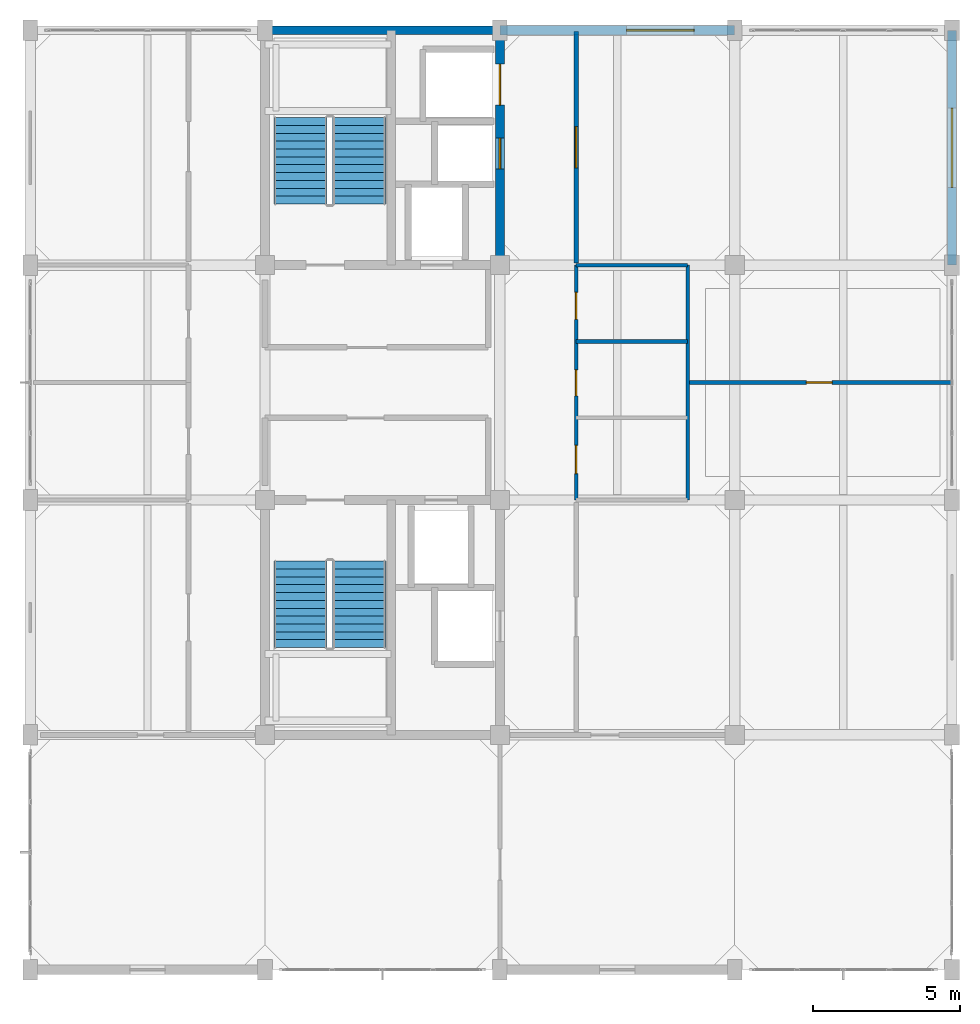
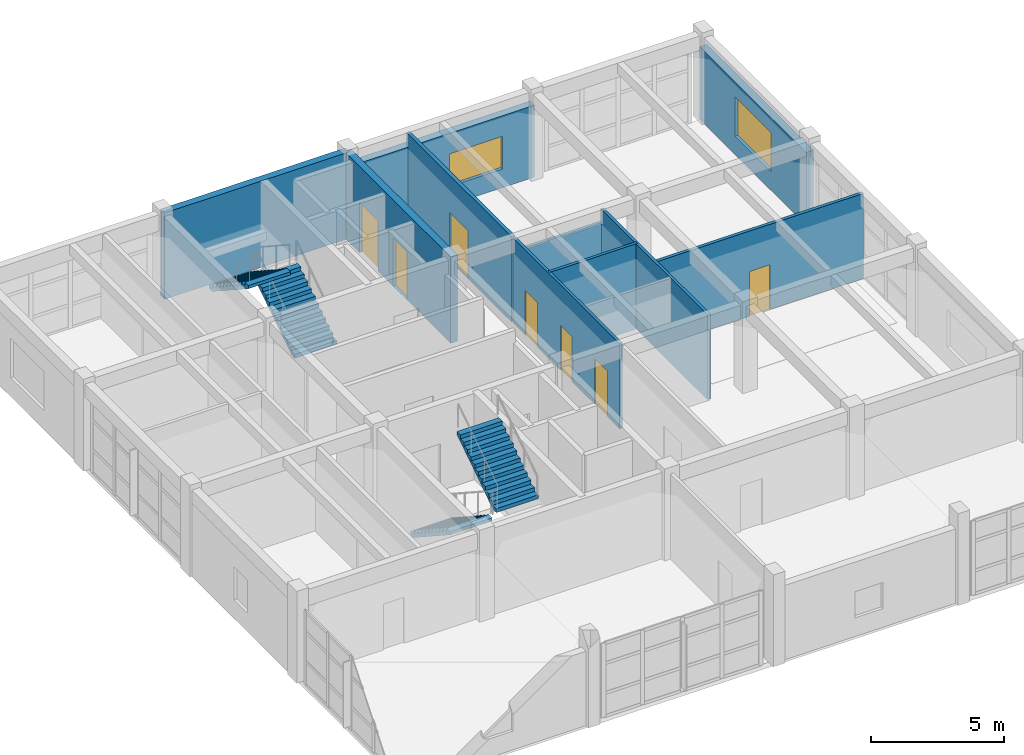
# One storey, part 16 of 18: 10 walls, 7 doors, 4 stair flights, 2 windows, 9 openings, 2 elements without a shape of their own.
"""IFC4 building model written with IfcOpenShell, lengths in metres."""

from ifc_helpers import new_model, si_unit, direction, frame, frame_2d, origin, place, context, subcontext, project, spatial, polyline, rectangle, outline, extrude, material, layer, layer_set, type_object, element, fill, aggregate, save


model = new_model("IFC4")

# Units and contexts
model_context = context("Model", 3, precision=1e-05, world=origin(), true_north=direction((0.0, 1.0)))
body_context = subcontext(model_context, "Body", "Model", "MODEL_VIEW")
ifc_project = project(units=[si_unit("LENGTHUNIT", "METRE"), si_unit("AREAUNIT", "SQUARE_METRE"), si_unit("VOLUMEUNIT", "CUBIC_METRE"), si_unit("PLANEANGLEUNIT", "RADIAN"), si_unit("MASSUNIT", "GRAM", prefix="KILO")], contexts=[model_context])

# Site, building, storey
site_placement = place(None, origin())
site = spatial("IfcSite", under=ifc_project, at=site_placement, CompositionType="ELEMENT")
building_placement = place(site_placement, origin())
building = spatial("IfcBuilding", under=site, at=building_placement, Name="Canggui Botanical Conservatory", CompositionType="ELEMENT")
storey_placement = place(building_placement, frame((0.0, 0.0, 52.800048828125)))
storey = spatial("IfcBuildingStorey", under=building, at=storey_placement, Name="L13", CompositionType="ELEMENT", Elevation=52.800048828125)

# Wall, opening, window
ifc_material_1 = material(Name="Precast Concrete C40", Category="concrete")
ifc_layer_1 = layer(ifc_material_1, 0.320068359375, Name="Precast Concrete C40", Category="concrete")
ifc_layer_set_1 = layer_set([ifc_layer_1], Name="Precast Concrete C40")
wall_type_1 = type_object("IfcWallType", Name="EW-320", PredefinedType="STANDARD", material=ifc_layer_set_1)
wall_1_placement = place(storey_placement, frame((162.0, 66.0, 0.0), z_axis=(0.0, 0.0, 1.0), x_axis=(1.0, 0.0, 0.0)))
wall_1 = element("IfcWall", 1, at=wall_1_placement, inside=storey, type_object=wall_type_1, Name="Tower Insulated Exterior Wall L13-N10", PredefinedType="STANDARD", context=body_context, shape_type="SweptSolid", body=[
    extrude(rectangle(XDim=8.0, YDim=0.320068359375, at=frame_2d((4.0, 0.0))), origin(), (0.0, 0.0, 1.0), 3.2900390625),
])
opening_1_placement = place(wall_1_placement, frame((4.31689453125, 0.0, 0.85009765625)))
opening_1 = element("IfcOpeningElement", 2, at=opening_1_placement, cuts=wall_1, Name="Opening W-19", PredefinedType="OPENING", context=body_context, shape_type="SweptSolid", body=[
    extrude(rectangle(XDim=2.300048828125, YDim=1.5, at=frame_2d((1.14990234375, 0.75))), frame((0.0, 0.169921875, 0.0), z_axis=(0.0, -1.0, 0.0), x_axis=(1.0, 0.0, 0.0)), (0.0, 0.0, 1.0), 0.340087890625),
])
ifc_material_2 = material(Name="Low-E Insulated Glass", Category="glass")
window_type_1 = type_object("IfcWindowType", Name="WIN-19", PartitioningType="DOUBLE_PANEL_VERTICAL", PredefinedType="WINDOW", material=ifc_material_2)
window_1_placement = place(opening_1_placement, origin())
window_1 = element("IfcWindow", 3, at=window_1_placement, inside=storey, type_object=window_type_1, Name="Tower Window L13-10", OverallHeight=1.5, OverallWidth=2.300048828125, PartitioningType="SINGLE_PANEL", PredefinedType="WINDOW", context=body_context, shape_type="SweptSolid", body=[
    extrude(rectangle(XDim=2.300048828125, YDim=1.5, at=frame_2d((1.14990234375, 0.75))), frame((0.0, 0.030029296875, 0.0), z_axis=(0.0, -1.0, 0.0), x_axis=(1.0, 0.0, 0.0)), (0.0, 0.0, 1.0), 0.06005859375),
])
fill(opening_1, window_1)

wall_2_placement = place(storey_placement, frame((177.39990234375, 66.0, 0.0), z_axis=(0.0, 0.0, 1.0), x_axis=(0.0, -1.0, 0.0)))
wall_2 = element("IfcWall", 4, at=wall_2_placement, inside=storey, type_object=wall_type_1, Name="Tower Insulated Exterior Wall L13-E12", PredefinedType="STANDARD", context=body_context, shape_type="SweptSolid", body=[
    extrude(rectangle(XDim=8.0, YDim=0.320068359375, at=frame_2d((4.0, 0.0))), origin(), (0.0, 0.0, 1.0), 3.33984375),
])
opening_2_placement = place(wall_2_placement, frame((2.64990234375, 0.0, 0.85009765625)))
opening_2 = element("IfcOpeningElement", 5, at=opening_2_placement, cuts=wall_2, Name="Opening W-20", PredefinedType="OPENING", context=body_context, shape_type="SweptSolid", body=[
    extrude(rectangle(XDim=2.699951171875, YDim=1.800048828125, at=frame_2d((1.35009765625, 0.89990234375))), frame((0.0, 0.169921875, 0.0), z_axis=(0.0, -1.0, 0.0), x_axis=(1.0, 0.0, 0.0)), (0.0, 0.0, 1.0), 0.340087890625),
])
window_type_2 = type_object("IfcWindowType", Name="WIN-20", PartitioningType="TRIPLE_PANEL_VERTICAL", PredefinedType="WINDOW", material=ifc_material_2)
window_2_placement = place(opening_2_placement, origin())
window_2 = element("IfcWindow", 6, at=window_2_placement, inside=storey, type_object=window_type_2, Name="Tower Window L13-12", OverallHeight=1.800048828125, OverallWidth=2.699951171875, PartitioningType="SINGLE_PANEL", PredefinedType="WINDOW", context=body_context, shape_type="SweptSolid", body=[
    extrude(rectangle(XDim=2.699951171875, YDim=1.800048828125, at=frame_2d((1.35009765625, 0.89990234375))), frame((0.0, 0.030029296875, 0.0), z_axis=(0.0, -1.0, 0.0), x_axis=(1.0, 0.0, 0.0)), (0.0, 0.0, 1.0), 0.06005859375),
])
fill(opening_2, window_2)

# Wall, opening, door
ifc_material_3 = material(Name="Gypsum Plasterboard Partition")
ifc_layer_2 = layer(ifc_material_3, 0.155029296875, Name="Gypsum Plasterboard Partition")
ifc_layer_set_2 = layer_set([ifc_layer_2], Name="Gypsum Plasterboard Partition")
wall_type_2 = type_object("IfcWallType", Name="IW-LAB-155", PredefinedType="STANDARD", material=ifc_layer_set_2)
wall_3_placement = place(storey_placement, frame((164.60009765625, 58.080078125, 0.0), z_axis=(0.0, 0.0, 1.0), x_axis=(0.0, 1.0, 0.0)))
wall_3 = element("IfcWall", 7, at=wall_3_placement, inside=storey, type_object=wall_type_2, Name="L13 Entomology Biocontrol Laboratory Lab Wall", PredefinedType="STANDARD", context=body_context, shape_type="SweptSolid", body=[
    extrude(rectangle(XDim=7.869873046875, YDim=0.155029296875, at=frame_2d((3.93505859375, 0.0))), origin(), (0.0, 0.0, 1.0), 3.89990234375),
])
opening_3_placement = place(wall_3_placement, frame((3.235107421875, 0.0, 0.0)))
opening_3 = element("IfcOpeningElement", 8, at=opening_3_placement, cuts=wall_3, Name="Opening FD-11", PredefinedType="OPENING", context=body_context, shape_type="SweptSolid", body=[
    extrude(rectangle(XDim=1.39990234375, YDim=2.199951171875, at=frame_2d((0.699951171875, 1.10009765625))), frame((0.0, 0.08740234375, 0.0), z_axis=(0.0, -1.0, 0.0), x_axis=(1.0, 0.0, 0.0)), (0.0, 0.0, 1.0), 0.175048828125),
])
ifc_material_4 = material(Name="Powder-Coated Steel", Category="steel")
door_type_1 = type_object("IfcDoorType", Name="FD-11", OperationType="NOTDEFINED", PredefinedType="DOOR", material=ifc_material_4)
door_1_placement = place(opening_3_placement, origin())
door_1 = element("IfcDoor", 9, at=door_1_placement, inside=storey, type_object=door_type_1, Name="Interior Door IW-L13-ECOR-2-1", OperationType="SINGLE_SWING_RIGHT", OverallHeight=2.199951171875, OverallWidth=1.39990234375, PredefinedType="DOOR", context=body_context, shape_type="SweptSolid", body=[
    extrude(rectangle(XDim=1.39990234375, YDim=2.199951171875, at=frame_2d((0.699951171875, 1.10009765625))), frame((0.0, 0.02490234375, 0.0), z_axis=(0.0, -1.0, 0.0), x_axis=(1.0, 0.0, 0.0)), (0.0, 0.0, 1.0), 0.050048828125),
])
fill(opening_3, door_1)

ifc_layer_3 = layer(ifc_material_3, 0.139892578125, Name="Gypsum Plasterboard Partition")
ifc_layer_set_3 = layer_set([ifc_layer_3], Name="Gypsum Plasterboard Partition")
wall_type_3 = type_object("IfcWallType", Name="IW-PART-140", PredefinedType="STANDARD", material=ifc_layer_set_3)
wall_4_placement = place(storey_placement, frame((168.39990234375, 54.0, 0.0), z_axis=(0.0, 0.0, 1.0), x_axis=(1.0, 0.0, 0.0)))
wall_4 = element("IfcWall", 10, at=wall_4_placement, inside=storey, type_object=wall_type_3, Name="L13 Virology and Bacteriology Laboratory Subdivision Wall", PredefinedType="STANDARD", context=body_context, shape_type="SweptSolid", body=[
    extrude(rectangle(XDim=8.960205078125, YDim=0.139892578125, at=frame_2d((4.47998046875, 0.0))), origin(), (0.0, 0.0, 1.0), 3.89990234375),
])
opening_4_placement = place(wall_4_placement, frame((4.0400390625, 0.0, 0.0)))
opening_4 = element("IfcOpeningElement", 11, at=opening_4_placement, cuts=wall_4, Name="Opening ID-01", PredefinedType="OPENING", context=body_context, shape_type="SweptSolid", body=[
    extrude(rectangle(XDim=0.8798828125, YDim=2.050048828125, at=frame_2d((0.43994140625, 1.02490234375))), frame((0.0, 0.080078125, 0.0), z_axis=(0.0, -1.0, 0.0), x_axis=(1.0, 0.0, 0.0)), (0.0, 0.0, 1.0), 0.159912109375),
])
ifc_material_5 = material(Name="Engineered Timber Veneer", Category="wood")
door_type_2 = type_object("IfcDoorType", Name="ID-01", OperationType="NOTDEFINED", PredefinedType="DOOR", material=ifc_material_5)
door_2_placement = place(opening_4_placement, origin())
door_2 = element("IfcDoor", 12, at=door_2_placement, inside=storey, type_object=door_type_2, Name="Interior Door IW-L13-EDIV-1", OperationType="SINGLE_SWING_LEFT", OverallHeight=2.050048828125, OverallWidth=0.8798828125, PredefinedType="DOOR", context=body_context, shape_type="SweptSolid", body=[
    extrude(rectangle(XDim=0.8798828125, YDim=2.050048828125, at=frame_2d((0.43994140625, 1.02490234375))), frame((0.0, 0.02490234375, 0.0), z_axis=(0.0, -1.0, 0.0), x_axis=(1.0, 0.0, 0.0)), (0.0, 0.0, 1.0), 0.050048828125),
])
fill(opening_4, door_2)

# Wall, openings, doors
ifc_layer_4 = layer(ifc_material_3, 0.125, Name="Gypsum Plasterboard Partition")
ifc_layer_set_4 = layer_set([ifc_layer_4], Name="Gypsum Plasterboard Partition")
wall_type_4 = type_object("IfcWallType", Name="IW-WC-125", PredefinedType="STANDARD", material=ifc_layer_set_4)
wall_5_placement = place(storey_placement, frame((164.60009765625, 50.0, 0.0), z_axis=(0.0, 0.0, 1.0), x_axis=(0.0, 1.0, 0.0)))
wall_5 = element("IfcWall", 13, at=wall_5_placement, inside=storey, type_object=wall_type_4, Name="L13 Restroom Block Corridor Wall", PredefinedType="STANDARD", context=body_context, shape_type="SweptSolid", body=[
    extrude(rectangle(XDim=8.0, YDim=0.125, at=frame_2d((4.0, 0.0))), origin(), (0.0, 0.0, 1.0), 3.89990234375),
])
opening_5_placement = place(wall_5_placement, frame((0.89990234375, 0.0, 0.0)))
opening_5 = element("IfcOpeningElement", 14, at=opening_5_placement, cuts=wall_5, Name="Opening ID-03", PredefinedType="OPENING", context=body_context, shape_type="SweptSolid", body=[
    extrude(rectangle(XDim=0.9599609375, YDim=2.080078125, at=frame_2d((0.47998046875, 1.0400390625))), frame((0.0, 0.072509765625, 0.0), z_axis=(0.0, -1.0, 0.0), x_axis=(1.0, 0.0, 0.0)), (0.0, 0.0, 1.0), 0.14501953125),
])
opening_6_placement = place(wall_5_placement, frame((3.550048828125, 0.0, 0.0)))
opening_6 = element("IfcOpeningElement", 15, at=opening_6_placement, cuts=wall_5, Name="Opening ID-01", PredefinedType="OPENING", context=body_context, shape_type="SweptSolid", body=[
    extrude(rectangle(XDim=0.8798828125, YDim=2.050048828125, at=frame_2d((0.43994140625, 1.02490234375))), frame((0.0, 0.072509765625, 0.0), z_axis=(0.0, -1.0, 0.0), x_axis=(1.0, 0.0, 0.0)), (0.0, 0.0, 1.0), 0.14501953125),
])
opening_7_placement = place(wall_5_placement, frame((6.14990234375, 0.0, 0.0)))
opening_7 = element("IfcOpeningElement", 16, at=opening_7_placement, cuts=wall_5, Name="Opening ID-02", PredefinedType="OPENING", context=body_context, shape_type="SweptSolid", body=[
    extrude(rectangle(XDim=0.919921875, YDim=2.050048828125, at=frame_2d((0.4599609375, 1.02490234375))), frame((0.0, 0.072509765625, 0.0), z_axis=(0.0, -1.0, 0.0), x_axis=(1.0, 0.0, 0.0)), (0.0, 0.0, 1.0), 0.14501953125),
])
door_3_placement = place(opening_6_placement, origin())
door_3 = element("IfcDoor", 17, at=door_3_placement, inside=storey, type_object=door_type_2, Name="L13 Male WC Door", OperationType="SINGLE_SWING_RIGHT", OverallHeight=2.050048828125, OverallWidth=0.8798828125, PredefinedType="DOOR", context=body_context, shape_type="SweptSolid", body=[
    extrude(rectangle(XDim=0.8798828125, YDim=2.050048828125, at=frame_2d((0.43994140625, 1.02490234375))), frame((0.0, 0.02490234375, 0.0), z_axis=(0.0, -1.0, 0.0), x_axis=(1.0, 0.0, 0.0)), (0.0, 0.0, 1.0), 0.050048828125),
])
fill(opening_6, door_3)
door_type_3 = type_object("IfcDoorType", Name="ID-02", OperationType="NOTDEFINED", PredefinedType="DOOR", material=ifc_material_5)
door_4_placement = place(opening_7_placement, origin())
door_4 = element("IfcDoor", 18, at=door_4_placement, inside=storey, type_object=door_type_3, Name="L13 Female WC Door", OperationType="SINGLE_SWING_LEFT", OverallHeight=2.050048828125, OverallWidth=0.919921875, PredefinedType="DOOR", context=body_context, shape_type="SweptSolid", body=[
    extrude(rectangle(XDim=0.919921875, YDim=2.050048828125, at=frame_2d((0.4599609375, 1.02490234375))), frame((0.0, 0.02490234375, 0.0), z_axis=(0.0, -1.0, 0.0), x_axis=(1.0, 0.0, 0.0)), (0.0, 0.0, 1.0), 0.050048828125),
])
fill(opening_7, door_4)
door_type_4 = type_object("IfcDoorType", Name="ID-03", OperationType="NOTDEFINED", PredefinedType="DOOR", material=ifc_material_5)
door_5_placement = place(opening_5_placement, origin())
door_5 = element("IfcDoor", 19, at=door_5_placement, inside=storey, type_object=door_type_4, Name="L13 Accessible WC Door", OperationType="SINGLE_SWING_LEFT", OverallHeight=2.080078125, OverallWidth=0.9599609375, PredefinedType="DOOR", context=body_context, shape_type="SweptSolid", body=[
    extrude(rectangle(XDim=0.9599609375, YDim=2.080078125, at=frame_2d((0.47998046875, 1.0400390625))), frame((0.0, 0.02490234375, 0.0), z_axis=(0.0, -1.0, 0.0), x_axis=(1.0, 0.0, 0.0)), (0.0, 0.0, 1.0), 0.050048828125),
])
fill(opening_5, door_5)

# Walls
wall_6_placement = place(storey_placement, frame((168.39990234375, 50.0, 0.0), z_axis=(0.0, 0.0, 1.0), x_axis=(0.0, 1.0, 0.0)))
element("IfcWall", 20, at=wall_6_placement, inside=storey, type_object=wall_type_4, Name="L13 Restroom Block Back Wall", PredefinedType="STANDARD", context=body_context, shape_type="SweptSolid", body=[
    extrude(rectangle(XDim=8.0, YDim=0.125, at=frame_2d((4.0, 0.0))), origin(), (0.0, 0.0, 1.0), 3.89990234375),
])
wall_7_placement = place(storey_placement, frame((164.60009765625, 55.39990234375, 0.0), z_axis=(0.0, 0.0, 1.0), x_axis=(1.0, 0.0, 0.0)))
element("IfcWall", 21, at=wall_7_placement, inside=storey, type_object=wall_type_4, Name="L13 Restroom Divider Y55.4", PredefinedType="STANDARD", context=body_context, shape_type="SweptSolid", body=[
    extrude(rectangle(XDim=3.7998046875, YDim=0.125, at=frame_2d((1.89990234375, 0.0))), origin(), (0.0, 0.0, 1.0), 3.89990234375),
])
wall_8_placement = place(storey_placement, frame((164.60009765625, 58.0, 0.0), z_axis=(0.0, 0.0, 1.0), x_axis=(1.0, 0.0, 0.0)))
element("IfcWall", 22, at=wall_8_placement, inside=storey, type_object=wall_type_4, Name="L13 Restroom Divider Y58.0", PredefinedType="STANDARD", context=body_context, shape_type="SweptSolid", body=[
    extrude(rectangle(XDim=3.7998046875, YDim=0.125, at=frame_2d((1.89990234375, 0.0))), origin(), (0.0, 0.0, 1.0), 3.2900390625),
])

# Wall, openings, doors
ifc_material_6 = material(Name="Concrete C35", Category="concrete")
ifc_layer_5 = layer(ifc_material_6, 0.300048828125, Name="Concrete C35", Category="concrete")
ifc_layer_set_5 = layer_set([ifc_layer_5], Name="Concrete C35")
wall_type_5 = type_object("IfcWallType", Name="WALL-SH-300-C35", PredefinedType="SHEAR", material=ifc_layer_set_5)
wall_9_placement = place(storey_placement, frame((162.0, 58.0, 0.0), z_axis=(0.0, 0.0, 1.0), x_axis=(0.0, 1.0, 0.0)))
wall_9 = element("IfcWall", 23, at=wall_9_placement, inside=storey, type_object=wall_type_5, Name="Core T2 Shear Wall L13-E", PredefinedType="SHEAR", context=body_context, shape_type="SweptSolid", body=[
    extrude(rectangle(XDim=8.0, YDim=0.300048828125, at=frame_2d((4.0, 0.0))), origin(), (0.0, 0.0, 1.0), 3.949951171875),
])
opening_8_placement = place(wall_9_placement, frame((3.27490234375, 0.0, 0.0)))
opening_8 = element("IfcOpeningElement", 24, at=opening_8_placement, cuts=wall_9, Name="Opening LD-02", PredefinedType="OPENING", context=body_context, shape_type="SweptSolid", body=[
    extrude(rectangle(XDim=1.050048828125, YDim=2.199951171875, at=frame_2d((0.52490234375, 1.10009765625))), frame((0.0, 0.16015625, 0.0), z_axis=(0.0, -1.0, 0.0), x_axis=(1.0, 0.0, 0.0)), (0.0, 0.0, 1.0), 0.320068359375),
])
opening_9_placement = place(wall_9_placement, frame((5.449951171875, 0.0, 0.0)))
opening_9 = element("IfcOpeningElement", 25, at=opening_9_placement, cuts=wall_9, Name="Opening LD-03", PredefinedType="OPENING", context=body_context, shape_type="SweptSolid", body=[
    extrude(rectangle(XDim=1.39990234375, YDim=2.300048828125, at=frame_2d((0.699951171875, 1.14990234375))), frame((0.0, 0.16015625, 0.0), z_axis=(0.0, -1.0, 0.0), x_axis=(1.0, 0.0, 0.0)), (0.0, 0.0, 1.0), 0.320068359375),
])
ifc_material_7 = material(Name="Stainless Steel 304", Category="steel")
door_type_5 = type_object("IfcDoorType", Name="LDR-02", OperationType="NOTDEFINED", PredefinedType="DOOR", material=ifc_material_7)
door_6_placement = place(opening_8_placement, origin())
door_6 = element("IfcDoor", 26, at=door_6_placement, inside=storey, type_object=door_type_5, Name="Passenger Lift PL-02 Landing Door L13", OperationType="SLIDING_TO_RIGHT", OverallHeight=2.199951171875, OverallWidth=1.050048828125, PredefinedType="DOOR", context=body_context, shape_type="SweptSolid", body=[
    extrude(rectangle(XDim=1.050048828125, YDim=2.199951171875, at=frame_2d((0.52490234375, 1.10009765625))), frame((0.0, 0.02490234375, 0.0), z_axis=(0.0, -1.0, 0.0), x_axis=(1.0, 0.0, 0.0)), (0.0, 0.0, 1.0), 0.050048828125),
])
fill(opening_8, door_6)
door_type_6 = type_object("IfcDoorType", Name="LDR-03", OperationType="NOTDEFINED", PredefinedType="DOOR", material=ifc_material_7)
door_7_placement = place(opening_9_placement, origin())
door_7 = element("IfcDoor", 27, at=door_7_placement, inside=storey, type_object=door_type_6, Name="Herbarium Goods Lift GL-01 Landing Door L13", OperationType="DOUBLE_DOOR_SLIDING", OverallHeight=2.300048828125, OverallWidth=1.39990234375, PredefinedType="DOOR", context=body_context, shape_type="SweptSolid", body=[
    extrude(rectangle(XDim=1.39990234375, YDim=2.300048828125, at=frame_2d((0.699951171875, 1.14990234375))), frame((0.0, 0.02490234375, 0.0), z_axis=(0.0, -1.0, 0.0), x_axis=(1.0, 0.0, 0.0)), (0.0, 0.0, 1.0), 0.050048828125),
])
fill(opening_9, door_7)

# Wall
wall_10_placement = place(storey_placement, frame((162.0, 66.0, 0.0), z_axis=(0.0, 0.0, 1.0), x_axis=(-1.0, 0.0, 0.0)))
element("IfcWall", 28, at=wall_10_placement, inside=storey, type_object=wall_type_5, Name="Core T2 Shear Wall L13-N", PredefinedType="SHEAR", context=body_context, shape_type="SweptSolid", body=[
    extrude(rectangle(XDim=8.0, YDim=0.300048828125, at=frame_2d((4.0, 0.0))), origin(), (0.0, 0.0, 1.0), 3.949951171875),
])

# Stair, stair flights
stair_type = type_object("IfcStairType", Name="STR-TYPE-6", PredefinedType="HALF_TURN_STAIR", material=ifc_material_6)
stair_1_placement = place(storey_placement, origin())
stair_1 = element("IfcStair", 29, at=stair_1_placement, inside=storey, type_object=stair_type, Name="L13 Tower South Smoke-Proof Stair ST-T1", PredefinedType="HALF_TURN_STAIR")
stair_flight_type = type_object("IfcStairFlightType", Name="SFL-TYPE-6", PredefinedType="STRAIGHT", material=ifc_material_6)
stair_flight_1_placement = place(storey_placement, frame((155.2099609375, 47.919921875, 0.0), z_axis=(0.0, 0.0, 1.0), x_axis=(0.0, -1.0, 0.0)))
stair_flight_1 = element("IfcStairFlight", 30, at=stair_flight_1_placement, type_object=stair_flight_type, Name="ST-T1 flight 1", NumberOfRisers=12, NumberOfTreads=11, PredefinedType="STRAIGHT", RiserHeight=0.175, TreadLength=0.268, context=body_context, shape_type="SweptSolid", body=[
    extrude(outline(polyline([(0.0, 0.0), (0.0, 0.175048828125), (0.26806640625, 0.175048828125), (0.26806640625, 0.35009765625), (0.535888671875, 0.35009765625), (0.535888671875, 0.52490234375), (0.803955078125, 0.52490234375), (0.803955078125, 0.699951171875), (1.072021484375, 0.699951171875), (1.072021484375, 0.875), (1.340087890625, 0.875), (1.340087890625, 1.050048828125), (1.60791015625, 1.050048828125), (1.60791015625, 1.22509765625), (1.8759765625, 1.22509765625), (1.8759765625, 1.39990234375), (2.14404296875, 1.39990234375), (2.14404296875, 1.574951171875), (2.412109375, 1.574951171875), (2.412109375, 1.75), (2.679931640625, 1.75), (2.679931640625, 1.925048828125), (2.947998046875, 1.925048828125), (2.947998046875, 2.10009765625), (2.947998046875, 1.781494140625), (0.2197265625, 0.0), (0.0, 0.0)])), frame((0.0, 0.91015625, 0.0), z_axis=(0.0, -1.0, 0.0), x_axis=(1.0, 0.0, 0.0)), (0.0, 0.0, 1.0), 1.820068359375),
])
stair_flight_2_placement = place(storey_placement, frame((157.2099609375, 44.971923828125, 2.099853515625), z_axis=(0.0, 0.0, 1.0), x_axis=(0.0, 1.0, 0.0)))
stair_flight_2 = element("IfcStairFlight", 31, at=stair_flight_2_placement, type_object=stair_flight_type, Name="ST-T1 flight 2", NumberOfRisers=12, NumberOfTreads=11, PredefinedType="STRAIGHT", RiserHeight=0.175, TreadLength=0.268, context=body_context, shape_type="SweptSolid", body=[
    extrude(outline(polyline([(0.0, 0.0), (0.0, 0.175048828125), (0.26806640625, 0.175048828125), (0.26806640625, 0.35009765625), (0.535888671875, 0.35009765625), (0.535888671875, 0.52490234375), (0.803955078125, 0.52490234375), (0.803955078125, 0.699951171875), (1.072021484375, 0.699951171875), (1.072021484375, 0.875), (1.340087890625, 0.875), (1.340087890625, 1.050048828125), (1.60791015625, 1.050048828125), (1.60791015625, 1.22509765625), (1.8759765625, 1.22509765625), (1.8759765625, 1.39990234375), (2.14404296875, 1.39990234375), (2.14404296875, 1.574951171875), (2.412109375, 1.574951171875), (2.412109375, 1.75), (2.679931640625, 1.75), (2.679931640625, 1.925048828125), (2.947998046875, 1.925048828125), (2.947998046875, 2.10009765625), (2.947998046875, 1.781494140625), (0.2197265625, 0.0), (0.0, 0.0)])), frame((0.0, 0.91015625, 0.0), z_axis=(0.0, -1.0, 0.0), x_axis=(1.0, 0.0, 0.0)), (0.0, 0.0, 1.0), 1.820068359375),
])
aggregate(stair_1, [stair_flight_1, stair_flight_2])

stair_2_placement = place(storey_placement, origin())
stair_2 = element("IfcStair", 32, at=stair_2_placement, inside=storey, type_object=stair_type, Name="L13 Tower North Smoke-Proof Stair ST-T2", PredefinedType="HALF_TURN_STAIR")
stair_flight_3_placement = place(storey_placement, frame((157.2099609375, 60.080078125, 0.0), z_axis=(0.0, 0.0, 1.0), x_axis=(0.0, 1.0, 0.0)))
stair_flight_3 = element("IfcStairFlight", 33, at=stair_flight_3_placement, type_object=stair_flight_type, Name="ST-T2 flight 1", NumberOfRisers=12, NumberOfTreads=11, PredefinedType="STRAIGHT", RiserHeight=0.175, TreadLength=0.268, context=body_context, shape_type="SweptSolid", body=[
    extrude(outline(polyline([(0.0, 0.0), (0.0, 0.175048828125), (0.26806640625, 0.175048828125), (0.26806640625, 0.35009765625), (0.535888671875, 0.35009765625), (0.535888671875, 0.52490234375), (0.803955078125, 0.52490234375), (0.803955078125, 0.699951171875), (1.072021484375, 0.699951171875), (1.072021484375, 0.875), (1.340087890625, 0.875), (1.340087890625, 1.050048828125), (1.60791015625, 1.050048828125), (1.60791015625, 1.22509765625), (1.8759765625, 1.22509765625), (1.8759765625, 1.39990234375), (2.14404296875, 1.39990234375), (2.14404296875, 1.574951171875), (2.412109375, 1.574951171875), (2.412109375, 1.75), (2.679931640625, 1.75), (2.679931640625, 1.925048828125), (2.947998046875, 1.925048828125), (2.947998046875, 2.10009765625), (2.947998046875, 1.781494140625), (0.2197265625, 0.0), (0.0, 0.0)])), frame((0.0, 0.91015625, 0.0), z_axis=(0.0, -1.0, 0.0), x_axis=(1.0, 0.0, 0.0)), (0.0, 0.0, 1.0), 1.820068359375),
])
stair_flight_4_placement = place(storey_placement, frame((155.2099609375, 63.028076171875, 2.099853515625), z_axis=(0.0, 0.0, 1.0), x_axis=(0.0, -1.0, 0.0)))
stair_flight_4 = element("IfcStairFlight", 34, at=stair_flight_4_placement, type_object=stair_flight_type, Name="ST-T2 flight 2", NumberOfRisers=12, NumberOfTreads=11, PredefinedType="STRAIGHT", RiserHeight=0.175, TreadLength=0.268, context=body_context, shape_type="SweptSolid", body=[
    extrude(outline(polyline([(0.0, 0.0), (0.0, 0.175048828125), (0.26806640625, 0.175048828125), (0.26806640625, 0.35009765625), (0.535888671875, 0.35009765625), (0.535888671875, 0.52490234375), (0.803955078125, 0.52490234375), (0.803955078125, 0.699951171875), (1.072021484375, 0.699951171875), (1.072021484375, 0.875), (1.340087890625, 0.875), (1.340087890625, 1.050048828125), (1.60791015625, 1.050048828125), (1.60791015625, 1.22509765625), (1.8759765625, 1.22509765625), (1.8759765625, 1.39990234375), (2.14404296875, 1.39990234375), (2.14404296875, 1.574951171875), (2.412109375, 1.574951171875), (2.412109375, 1.75), (2.679931640625, 1.75), (2.679931640625, 1.925048828125), (2.947998046875, 1.925048828125), (2.947998046875, 2.10009765625), (2.947998046875, 1.781494140625), (0.2197265625, 0.0), (0.0, 0.0)])), frame((0.0, 0.91015625, 0.0), z_axis=(0.0, -1.0, 0.0), x_axis=(1.0, 0.0, 0.0)), (0.0, 0.0, 1.0), 1.820068359375),
])
aggregate(stair_2, [stair_flight_3, stair_flight_4])

save(model, "model.ifc")
